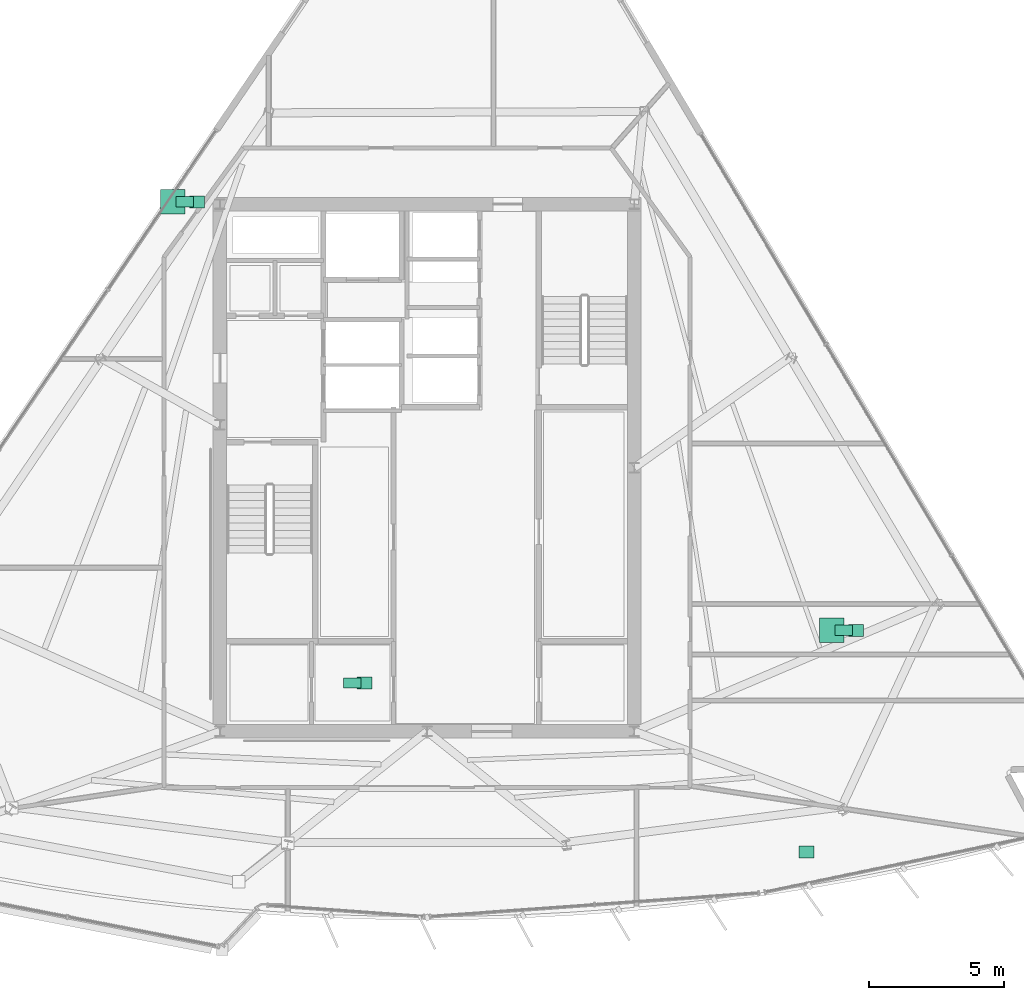
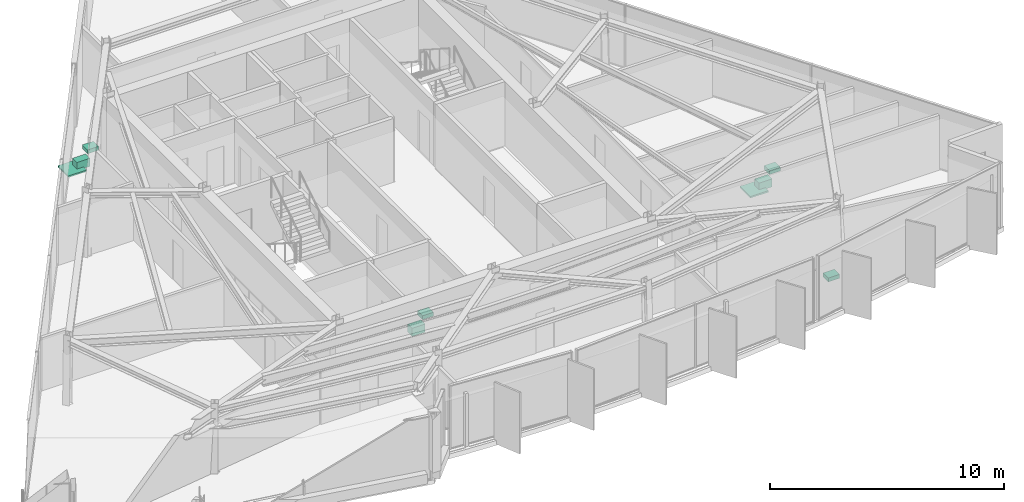
# One storey, part 13 of 13: 9 sanitary terminals.
"""IFC4 building model written with IfcOpenShell, lengths in metres."""

from ifc_helpers import new_model, si_unit, direction, frame, origin, origin_2d, place, context, subcontext, project, spatial, rectangle, extrude, material, type_object, element, save


model = new_model("IFC4")

# Units and contexts
model_context = context("Model", 3, precision=1e-05, world=origin(), true_north=direction((0.0, 1.0)))
body_context = subcontext(model_context, "Body", "Model", "MODEL_VIEW")
ifc_project = project(units=[si_unit("LENGTHUNIT", "METRE"), si_unit("AREAUNIT", "SQUARE_METRE"), si_unit("VOLUMEUNIT", "CUBIC_METRE"), si_unit("PLANEANGLEUNIT", "RADIAN"), si_unit("MASSUNIT", "GRAM", prefix="KILO")], contexts=[model_context])

# Site, building, storey
site_placement = place(None, origin())
site = spatial("IfcSite", under=ifc_project, at=site_placement, CompositionType="ELEMENT")
building_placement = place(site_placement, origin())
building = spatial("IfcBuilding", under=site, at=building_placement, Name="Savorim Split Tower", CompositionType="ELEMENT")
storey_placement = place(building_placement, frame((0.0, 0.0, 272.39990234375)))
storey = spatial("IfcBuildingStorey", under=building, at=storey_placement, Name="L72", CompositionType="ELEMENT", Elevation=272.39990234375)

# Sanitary terminals
ifc_material = material(Name="Vitreous China Sanitaryware")
sanitary_terminal_type_1 = type_object("IfcSanitaryTerminalType", Name="SAN-SHW-900", PredefinedType="SHOWER", material=ifc_material)
for number, where, z_axis, x_axis, name in (
    (1, (15.041748046875, -5.642578125, 0.0), (0.0, 0.0, 1.0), (1.0, 0.0, 0.0), "L72 Shared Bathroom Shower"),
    (2, (-9.45458984375, 10.2822265625, 0.0), (0.0, 0.0, 1.0), (1.0, 0.0, 0.0), "L72 Shared Bathroom Shower"),
):
    element("IfcSanitaryTerminal", number, at=place(storey_placement, frame(where, z_axis=z_axis, x_axis=x_axis)), inside=storey, type_object=sanitary_terminal_type_1, Name=name, PredefinedType="SHOWER", context=body_context, shape_type="SweptSolid", body=[
        extrude(rectangle(XDim=0.89990234375, YDim=0.89990234375, at=origin_2d()), origin(), (0.0, 0.0, 1.0), 0.080078125),
    ])
sanitary_terminal_type_2 = type_object("IfcSanitaryTerminalType", Name="SAN-WC-PAN", PredefinedType="TOILETPAN", material=ifc_material)
for number, where, z_axis, x_axis, name in (
    (3, (-2.77490234375, -7.60009765625, 0.000244140625), (0.0, 0.0, 1.0), (1.0, 0.0, 0.0), "L72 Accessible WC WC Pan"),
    (4, (15.49169921875, -5.642578125, 0.000244140625), (0.0, 0.0, 1.0), (1.0, 0.0, 0.0), "L72 Shared Bathroom WC Pan"),
    (5, (-9.004638671875, 10.2822265625, 0.000244140625), (0.0, 0.0, 1.0), (1.0, 0.0, 0.0), "L72 Shared Bathroom WC Pan"),
):
    element("IfcSanitaryTerminal", number, at=place(storey_placement, frame(where, z_axis=z_axis, x_axis=x_axis)), inside=storey, type_object=sanitary_terminal_type_2, Name=name, PredefinedType="TOILETPAN", context=body_context, shape_type="SweptSolid", body=[
        extrude(rectangle(XDim=0.64990234375, YDim=0.3798828125, at=origin_2d()), origin(), (0.0, 0.0, 1.0), 0.419921875),
    ])
sanitary_terminal_type_3 = type_object("IfcSanitaryTerminalType", Name="SAN-WHB-550", PredefinedType="WASHHANDBASIN", material=ifc_material)
for number, where, z_axis, x_axis, name in (
    (6, (-2.324951171875, -7.60009765625, 0.72021484375), (0.0, 0.0, 1.0), (1.0, 0.0, 0.0), "L72 Accessible WC Washhand Basin"),
    (7, (14.100341796875, -13.876220703125, 0.75), (0.0, 0.0, 1.0), (1.0, 0.0, 0.0), "L72 Shared Kitchen Utility Sink"),
    (8, (15.94189453125, -5.642578125, 0.72021484375), (0.0, 0.0, 1.0), (1.0, 0.0, 0.0), "L72 Shared Bathroom Washhand Basin"),
    (9, (-8.5546875, 10.2822265625, 0.72021484375), (0.0, 0.0, 1.0), (1.0, 0.0, 0.0), "L72 Shared Bathroom Washhand Basin"),
):
    element("IfcSanitaryTerminal", number, at=place(storey_placement, frame(where, z_axis=z_axis, x_axis=x_axis)), inside=storey, type_object=sanitary_terminal_type_3, Name=name, PredefinedType="WASHHANDBASIN", context=body_context, shape_type="SweptSolid", body=[
        extrude(rectangle(XDim=0.550048828125, YDim=0.449951171875, at=origin_2d()), origin(), (0.0, 0.0, 1.0), 0.199951171875),
    ])

save(model, "model.ifc")
